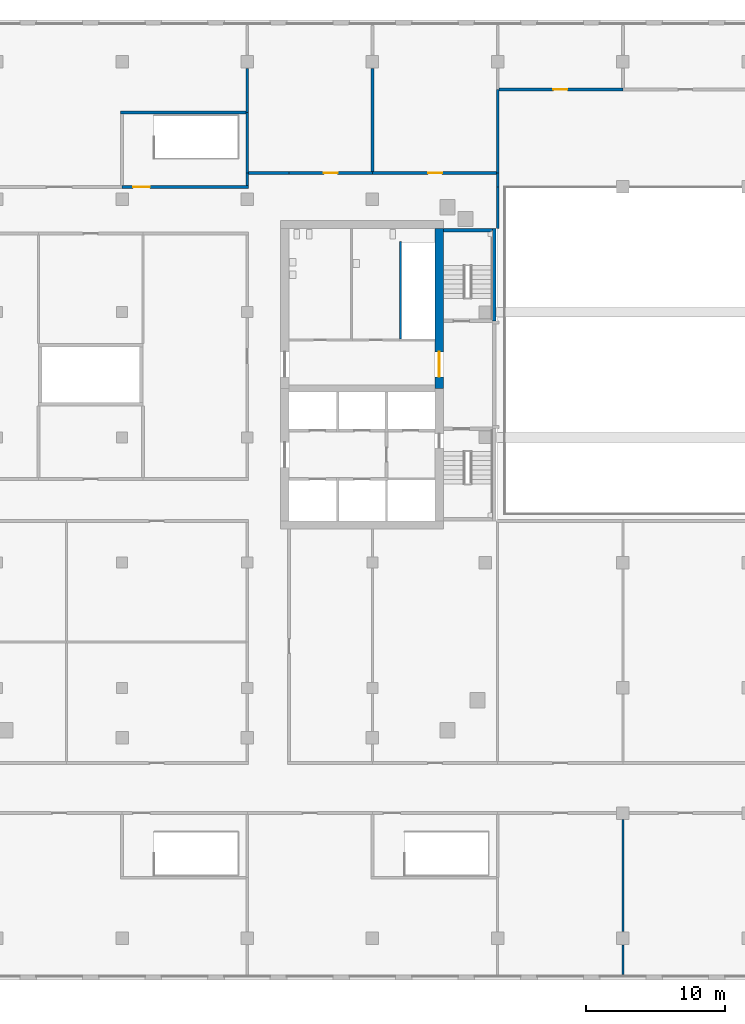
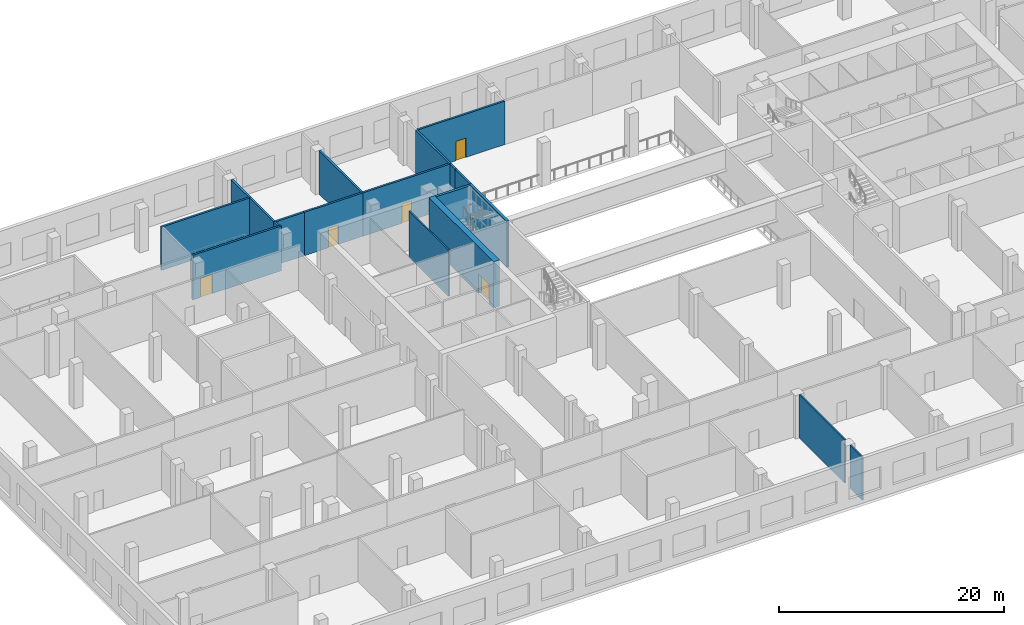
# One storey, part 7 of 20: 19 walls, 5 doors, 5 openings.
"""IFC4 building model written with IfcOpenShell, lengths in metres."""

from ifc_helpers import new_model, si_unit, direction, frame, frame_2d, origin, place, context, subcontext, project, spatial, rectangle, extrude, material, layer, layer_set, type_object, element, fill, save


model = new_model("IFC4")

# Units and contexts
model_context = context("Model", 3, precision=1e-05, world=origin(), true_north=direction((0.0, 1.0)))
body_context = subcontext(model_context, "Body", "Model", "MODEL_VIEW")
ifc_project = project(units=[si_unit("LENGTHUNIT", "METRE"), si_unit("AREAUNIT", "SQUARE_METRE"), si_unit("VOLUMEUNIT", "CUBIC_METRE"), si_unit("PLANEANGLEUNIT", "RADIAN"), si_unit("MASSUNIT", "GRAM", prefix="KILO")], contexts=[model_context])

# Site, building, storey
site_placement = place(None, origin())
site = spatial("IfcSite", under=ifc_project, at=site_placement, CompositionType="ELEMENT")
building_placement = place(site_placement, origin())
building = spatial("IfcBuilding", under=site, at=building_placement, Name="Cinnabar Reach Civic Tower", CompositionType="ELEMENT")
storey_placement = place(building_placement, frame((0.0, 0.0, 21.0)))
storey = spatial("IfcBuildingStorey", under=building, at=storey_placement, Name="L04", CompositionType="ELEMENT", Elevation=21.0)

# Wall, opening, door
ifc_material_1 = material(Name="Concrete C70", Category="concrete")
ifc_layer_1 = layer(ifc_material_1, 0.6)
ifc_layer_set_1 = layer_set([ifc_layer_1], Name="Core wall 600 EI 180")
wall_type_1 = type_object("IfcWallType", Name="Core wall 600 EI 180", PredefinedType="SOLIDWALL", material=ifc_layer_set_1)
wall_1_placement = place(storey_placement, frame((-31.2, 30.5, 0.0), z_axis=(0.0, 0.0, 1.0), x_axis=(0.0, 1.0, 0.0)))
wall_1 = element("IfcWall", 1, at=wall_1_placement, inside=storey, type_object=wall_type_1, Name="Core wall T2 L04 E2", PredefinedType="SOLIDWALL", context=body_context, shape_type="SweptSolid", body=[
    extrude(rectangle(XDim=11.5, YDim=0.6, at=frame_2d((5.75, 0.0))), origin(), (0.0, 0.0, 1.0), 5.0),
])
opening_1_placement = place(wall_1_placement, frame((0.85, 0.0, 0.0)))
opening_1 = element("IfcOpeningElement", 2, at=opening_1_placement, cuts=wall_1, Name="Opening D6086", PredefinedType="OPENING", context=body_context, shape_type="SweptSolid", body=[
    extrude(rectangle(XDim=1.8, YDim=2.1, at=frame_2d((0.9, 1.05))), frame((0.0, 0.31, 0.0), z_axis=(0.0, -1.0, 0.0), x_axis=(1.0, 0.0, 0.0)), (0.0, 0.0, 1.0), 0.62),
])
ifc_material_2 = material(Name="Steel fire door", Category="steel")
door_type_1 = type_object("IfcDoorType", Name="T2 Double door 1800", OperationType="DOUBLE_DOOR_SINGLE_SWING", PredefinedType="DOOR", material=ifc_material_2)
door_1_placement = place(opening_1_placement, origin())
door_1 = element("IfcDoor", 3, at=door_1_placement, inside=storey, type_object=door_type_1, Name="T2 Double door D6086", OperationType="DOUBLE_DOOR_SINGLE_SWING", OverallHeight=2.1, OverallWidth=1.8, PredefinedType="DOOR", context=body_context, shape_type="SweptSolid", body=[
    extrude(rectangle(XDim=1.8, YDim=2.1, at=frame_2d((0.9, 1.05))), frame((0.0, 0.025, 0.0), z_axis=(0.0, -1.0, 0.0), x_axis=(1.0, 0.0, 0.0)), (0.0, 0.0, 1.0), 0.05),
])
fill(opening_1, door_1)

# Walls
ifc_material_3 = material(Name="Concrete blockwork", Category="masonry")
ifc_layer_2 = layer(ifc_material_3, 0.2)
ifc_layer_set_2 = layer_set([ifc_layer_2], Name="Podium masonry corridor wall 200 EI 120")
wall_type_2 = type_object("IfcWallType", Name="Podium masonry corridor wall 200 EI 120", PredefinedType="PARTITIONING", material=ifc_layer_set_2)
wall_2_placement = place(storey_placement, frame((-44.9, 46.0, 0.0), z_axis=(0.0, 0.0, 1.0), x_axis=(1.0, 0.0, 0.0)))
element("IfcWall", 4, at=wall_2_placement, inside=storey, type_object=wall_type_2, Name="Wall L04 85", PredefinedType="PARTITIONING", context=body_context, shape_type="SweptSolid", body=[
    extrude(rectangle(XDim=2.9, YDim=0.2, at=frame_2d((1.45, 0.0))), origin(), (0.0, 0.0, 1.0), 4.7),
])
wall_3_placement = place(storey_placement, frame((-27.0, 42.0, 0.0), z_axis=(0.0, 0.0, 1.0), x_axis=(0.0, 1.0, 0.0)))
element("IfcWall", 5, at=wall_3_placement, inside=storey, type_object=wall_type_2, Name="Wall L04 90", PredefinedType="PARTITIONING", context=body_context, shape_type="SweptSolid", body=[
    extrude(rectangle(XDim=3.0, YDim=0.2, at=frame_2d((1.5, 0.0))), origin(), (0.0, 0.0, 1.0), 4.7),
])
wall_4_placement = place(storey_placement, frame((-27.0, 45.0, 0.0), z_axis=(0.0, 0.0, 1.0), x_axis=(0.0, 1.0, 0.0)))
element("IfcWall", 6, at=wall_4_placement, inside=storey, type_object=wall_type_2, Name="Wall L04 91", PredefinedType="PARTITIONING", context=body_context, shape_type="SweptSolid", body=[
    extrude(rectangle(XDim=1.0, YDim=0.2, at=frame_2d((0.5, 0.0))), origin(), (0.0, 0.0, 1.0), 4.7),
])

# Wall, opening, door
wall_5_placement = place(storey_placement, frame((-42.0, 46.0, 0.0), z_axis=(0.0, 0.0, 1.0), x_axis=(1.0, 0.0, 0.0)))
wall_5 = element("IfcWall", 7, at=wall_5_placement, inside=storey, type_object=wall_type_2, Name="Wall L04 92", PredefinedType="PARTITIONING", context=body_context, shape_type="SweptSolid", body=[
    extrude(rectangle(XDim=6.0, YDim=0.2, at=frame_2d((3.0, 0.0))), origin(), (0.0, 0.0, 1.0), 4.7),
])
opening_2_placement = place(wall_5_placement, frame((2.5, 0.0, 0.0)))
opening_2 = element("IfcOpeningElement", 8, at=opening_2_placement, cuts=wall_5, Name="Opening D1252", PredefinedType="OPENING", context=body_context, shape_type="SweptSolid", body=[
    extrude(rectangle(XDim=1.0, YDim=2.1, at=frame_2d((0.5, 1.05))), frame((0.0, 0.11, 0.0), z_axis=(0.0, -1.0, 0.0), x_axis=(1.0, 0.0, 0.0)), (0.0, 0.0, 1.0), 0.22),
])
ifc_material_4 = material(Name="Painted steel door leaf", Category="steel")
door_type_2 = type_object("IfcDoorType", Name="Podium single door 1000x2100", OperationType="SINGLE_SWING_LEFT", PredefinedType="DOOR", material=ifc_material_4)
door_2_placement = place(opening_2_placement, origin())
door_2 = element("IfcDoor", 9, at=door_2_placement, inside=storey, type_object=door_type_2, Name="Door D1252", OperationType="SINGLE_SWING_LEFT", OverallHeight=2.1, OverallWidth=1.0, PredefinedType="DOOR", context=body_context, shape_type="SweptSolid", body=[
    extrude(rectangle(XDim=1.0, YDim=2.1, at=frame_2d((0.5, 1.05))), frame((0.0, 0.025, 0.0), z_axis=(0.0, -1.0, 0.0), x_axis=(1.0, 0.0, 0.0)), (0.0, 0.0, 1.0), 0.05),
])
fill(opening_2, door_2)

wall_6_placement = place(storey_placement, frame((-36.0, 46.0, 0.0), z_axis=(0.0, 0.0, 1.0), x_axis=(1.0, 0.0, 0.0)))
wall_6 = element("IfcWall", 10, at=wall_6_placement, inside=storey, type_object=wall_type_2, Name="Wall L04 93", PredefinedType="PARTITIONING", context=body_context, shape_type="SweptSolid", body=[
    extrude(rectangle(XDim=8.9, YDim=0.2, at=frame_2d((4.45, 0.0))), origin(), (0.0, 0.0, 1.0), 4.7),
])
opening_3_placement = place(wall_6_placement, frame((4.0, 0.0, 0.0)))
opening_3 = element("IfcOpeningElement", 11, at=opening_3_placement, cuts=wall_6, Name="Opening D1253", PredefinedType="OPENING", context=body_context, shape_type="SweptSolid", body=[
    extrude(rectangle(XDim=1.0, YDim=2.1, at=frame_2d((0.5, 1.05))), frame((0.0, 0.11, 0.0), z_axis=(0.0, -1.0, 0.0), x_axis=(1.0, 0.0, 0.0)), (0.0, 0.0, 1.0), 0.22),
])
door_3_placement = place(opening_3_placement, origin())
door_3 = element("IfcDoor", 12, at=door_3_placement, inside=storey, type_object=door_type_2, Name="Door D1253", OperationType="SINGLE_SWING_RIGHT", OverallHeight=2.1, OverallWidth=1.0, PredefinedType="DOOR", context=body_context, shape_type="SweptSolid", body=[
    extrude(rectangle(XDim=1.0, YDim=2.1, at=frame_2d((0.5, 1.05))), frame((0.0, 0.025, 0.0), z_axis=(0.0, -1.0, 0.0), x_axis=(1.0, 0.0, 0.0)), (0.0, 0.0, 1.0), 0.05),
])
fill(opening_3, door_3)

wall_7_placement = place(storey_placement, frame((-26.9, 52.0, 0.0), z_axis=(0.0, 0.0, 1.0), x_axis=(1.0, 0.0, 0.0)))
wall_7 = element("IfcWall", 13, at=wall_7_placement, inside=storey, type_object=wall_type_2, Name="Wall L04 128", PredefinedType="PARTITIONING", context=body_context, shape_type="SweptSolid", body=[
    extrude(rectangle(XDim=8.9, YDim=0.2, at=frame_2d((4.45, 0.0))), origin(), (0.0, 0.0, 1.0), 4.7),
])
opening_4_placement = place(wall_7_placement, frame((3.9, 0.0, 0.0)))
opening_4 = element("IfcOpeningElement", 14, at=opening_4_placement, cuts=wall_7, Name="Opening D1222", PredefinedType="OPENING", context=body_context, shape_type="SweptSolid", body=[
    extrude(rectangle(XDim=1.0, YDim=2.1, at=frame_2d((0.5, 1.05))), frame((0.0, 0.11, 0.0), z_axis=(0.0, -1.0, 0.0), x_axis=(1.0, 0.0, 0.0)), (0.0, 0.0, 1.0), 0.22),
])
door_4_placement = place(opening_4_placement, origin())
door_4 = element("IfcDoor", 15, at=door_4_placement, inside=storey, type_object=door_type_2, Name="Door D1222", OperationType="SINGLE_SWING_RIGHT", OverallHeight=2.1, OverallWidth=1.0, PredefinedType="DOOR", context=body_context, shape_type="SweptSolid", body=[
    extrude(rectangle(XDim=1.0, YDim=2.1, at=frame_2d((0.5, 1.05))), frame((0.0, 0.025, 0.0), z_axis=(0.0, -1.0, 0.0), x_axis=(1.0, 0.0, 0.0)), (0.0, 0.0, 1.0), 0.05),
])
fill(opening_4, door_4)

# Walls
wall_8_placement = place(storey_placement, frame((-27.0, 46.0, 0.0), z_axis=(0.0, 0.0, 1.0), x_axis=(0.0, 1.0, 0.0)))
element("IfcWall", 16, at=wall_8_placement, inside=storey, type_object=wall_type_2, Name="Wall L04 131", PredefinedType="PARTITIONING", context=body_context, shape_type="SweptSolid", body=[
    extrude(rectangle(XDim=6.0, YDim=0.2, at=frame_2d((3.0, 0.0))), origin(), (0.0, 0.0, 1.0), 4.7),
])
wall_9_placement = place(storey_placement, frame((-45.0, 50.35, 0.0), z_axis=(0.0, 0.0, 1.0), x_axis=(0.0, 1.0, 0.0)))
element("IfcWall", 17, at=wall_9_placement, inside=storey, type_object=wall_type_2, Name="Wall L04 192", PredefinedType="PARTITIONING", context=body_context, shape_type="SweptSolid", body=[
    extrude(rectangle(XDim=3.18, YDim=0.2, at=frame_2d((1.59, 0.0))), origin(), (0.0, 0.0, 1.0), 4.7),
])
wall_10_placement = place(storey_placement, frame((-36.0, 46.1, 0.0), z_axis=(0.0, 0.0, 1.0), x_axis=(0.0, 1.0, 0.0)))
element("IfcWall", 18, at=wall_10_placement, inside=storey, type_object=wall_type_2, Name="Wall L04 194", PredefinedType="PARTITIONING", context=body_context, shape_type="SweptSolid", body=[
    extrude(rectangle(XDim=7.43, YDim=0.2, at=frame_2d((3.715, 0.0))), origin(), (0.0, 0.0, 1.0), 4.7),
])
ifc_material_5 = material(Name="Gypsum board on steel studs", Category="steel")
ifc_layer_3 = layer(ifc_material_5, 0.15)
ifc_layer_set_3 = layer_set([ifc_layer_3], Name="Podium partition wall 150 EI 90")
wall_type_3 = type_object("IfcWallType", Name="Podium partition wall 150 EI 90", PredefinedType="PARTITIONING", material=ifc_layer_set_3)
wall_11_placement = place(storey_placement, frame((-18.0, -11.6, 0.0), z_axis=(0.0, 0.0, 1.0), x_axis=(0.0, 1.0, 0.0)))
element("IfcWall", 19, at=wall_11_placement, inside=storey, type_object=wall_type_3, Name="Wall L04 145", PredefinedType="PARTITIONING", context=body_context, shape_type="SweptSolid", body=[
    extrude(rectangle(XDim=2.13, YDim=0.15, at=frame_2d((1.065, 0.0))), origin(), (0.0, 0.0, 1.0), 4.7),
])
wall_12_placement = place(storey_placement, frame((-18.0, -8.53, 0.0), z_axis=(0.0, 0.0, 1.0), x_axis=(0.0, 1.0, 0.0)))
element("IfcWall", 20, at=wall_12_placement, inside=storey, type_object=wall_type_3, Name="Wall L04 146", PredefinedType="PARTITIONING", context=body_context, shape_type="SweptSolid", body=[
    extrude(rectangle(XDim=8.06, YDim=0.15, at=frame_2d((4.03, 0.0))), origin(), (0.0, 0.0, 1.0), 4.7),
])
ifc_material_6 = material(Name="Concrete C40", Category="concrete")
ifc_layer_4 = layer(ifc_material_6, 0.2)
ifc_layer_set_4 = layer_set([ifc_layer_4], Name="Podium stair shaft wall 200 EI 120")
wall_type_4 = type_object("IfcWallType", Name="Podium stair shaft wall 200 EI 120", PredefinedType="SOLIDWALL", material=ifc_layer_set_4)
wall_13_placement = place(storey_placement, frame((-45.0, 45.1, 0.0), z_axis=(0.0, 0.0, 1.0), x_axis=(0.0, 1.0, 0.0)))
element("IfcWall", 21, at=wall_13_placement, inside=storey, type_object=wall_type_4, Name="Wall L04 28", PredefinedType="SOLIDWALL", context=body_context, shape_type="SweptSolid", body=[
    extrude(rectangle(XDim=0.9, YDim=0.2, at=frame_2d((0.45, 0.0))), origin(), (0.0, 0.0, 1.0), 4.7),
])

# Wall, opening, door
wall_14_placement = place(storey_placement, frame((-54.0, 45.0, 0.0), z_axis=(0.0, 0.0, 1.0), x_axis=(1.0, 0.0, 0.0)))
wall_14 = element("IfcWall", 22, at=wall_14_placement, inside=storey, type_object=wall_type_4, Name="Wall L04 29", PredefinedType="SOLIDWALL", context=body_context, shape_type="SweptSolid", body=[
    extrude(rectangle(XDim=9.1, YDim=0.2, at=frame_2d((4.55, 0.0))), origin(), (0.0, 0.0, 1.0), 4.85),
])
opening_5_placement = place(wall_14_placement, frame((0.8, 0.0, 0.0)))
opening_5 = element("IfcOpeningElement", 23, at=opening_5_placement, cuts=wall_14, Name="Opening D1281", PredefinedType="OPENING", context=body_context, shape_type="SweptSolid", body=[
    extrude(rectangle(XDim=1.2, YDim=2.1, at=frame_2d((0.6, 1.05))), frame((0.0, 0.11, 0.0), z_axis=(0.0, -1.0, 0.0), x_axis=(1.0, 0.0, 0.0)), (0.0, 0.0, 1.0), 0.22),
])
door_type_3 = type_object("IfcDoorType", Name="Podium single door 1200x2100", OperationType="SINGLE_SWING_LEFT", PredefinedType="DOOR", material=ifc_material_4)
door_5_placement = place(opening_5_placement, origin())
door_5 = element("IfcDoor", 24, at=door_5_placement, inside=storey, type_object=door_type_3, Name="Door D1281", OperationType="SINGLE_SWING_RIGHT", OverallHeight=2.1, OverallWidth=1.2, PredefinedType="DOOR", context=body_context, shape_type="SweptSolid", body=[
    extrude(rectangle(XDim=1.2, YDim=2.1, at=frame_2d((0.6, 1.05))), frame((0.0, 0.025, 0.0), z_axis=(0.0, -1.0, 0.0), x_axis=(1.0, 0.0, 0.0)), (0.0, 0.0, 1.0), 0.05),
])
fill(opening_5, door_5)

# Walls
wall_15_placement = place(storey_placement, frame((-54.1, 50.35, 0.0), z_axis=(0.0, 0.0, 1.0), x_axis=(1.0, 0.0, 0.0)))
element("IfcWall", 25, at=wall_15_placement, inside=storey, type_object=wall_type_4, Name="Wall L04 30", PredefinedType="SOLIDWALL", context=body_context, shape_type="SweptSolid", body=[
    extrude(rectangle(XDim=9.0, YDim=0.2, at=frame_2d((4.5, 0.0))), origin(), (0.0, 0.0, 1.0), 4.7),
])
wall_16_placement = place(storey_placement, frame((-45.0, 46.0, 0.0), z_axis=(0.0, 0.0, 1.0), x_axis=(0.0, 1.0, 0.0)))
element("IfcWall", 26, at=wall_16_placement, inside=storey, type_object=wall_type_4, Name="Wall L04 32", PredefinedType="SOLIDWALL", context=body_context, shape_type="SweptSolid", body=[
    extrude(rectangle(XDim=4.35, YDim=0.2, at=frame_2d((2.175, 0.0))), origin(), (0.0, 0.0, 1.0), 4.7),
])
ifc_material_7 = material(Name="Concrete C60", Category="concrete")
ifc_layer_5 = layer(ifc_material_7, 0.25)
ifc_layer_set_5 = layer_set([ifc_layer_5], Name="Stair shaft wall 250 EI 120")
wall_type_5 = type_object("IfcWallType", Name="Stair shaft wall 250 EI 120", PredefinedType="SOLIDWALL", material=ifc_layer_set_5)
wall_17_placement = place(storey_placement, frame((-27.36, 41.875, 0.0), z_axis=(0.0, 0.0, 1.0), x_axis=(-1.0, 0.0, 0.0)))
element("IfcWall", 27, at=wall_17_placement, inside=storey, type_object=wall_type_5, Name="Stair shaft wall T2-S2 L04", PredefinedType="SOLIDWALL", context=body_context, shape_type="SweptSolid", body=[
    extrude(rectangle(XDim=3.54, YDim=0.25, at=frame_2d((1.77, 0.0))), origin(), (0.0, 0.0, 1.0), 5.0),
])
wall_18_placement = place(storey_placement, frame((-27.235, 35.35, 0.0), z_axis=(0.0, 0.0, 1.0), x_axis=(0.0, 1.0, 0.0)))
element("IfcWall", 28, at=wall_18_placement, inside=storey, type_object=wall_type_5, Name="Stair shaft wall T2-STRIP L04", PredefinedType="SOLIDWALL", context=body_context, shape_type="SweptSolid", body=[
    extrude(rectangle(XDim=6.65, YDim=0.25, at=frame_2d((3.325, 0.0))), origin(), (0.0, 0.0, 1.0), 5.0),
])
ifc_layer_6 = layer(ifc_material_6, 0.15)
ifc_layer_set_6 = layer_set([ifc_layer_6], Name="T2 Riser wall 150")
wall_type_6 = type_object("IfcWallType", Name="T2 Riser wall 150", PredefinedType="SOLIDWALL", material=ifc_layer_set_6)
wall_19_placement = place(storey_placement, frame((-34.0, 41.075, 0.0), z_axis=(0.0, 0.0, 1.0), x_axis=(0.0, -1.0, 0.0)))
element("IfcWall", 29, at=wall_19_placement, inside=storey, type_object=wall_type_6, Name="T2 Riser wall L04 015", PredefinedType="SOLIDWALL", context=body_context, shape_type="SweptSolid", body=[
    extrude(rectangle(XDim=7.0, YDim=0.15, at=frame_2d((3.5, 0.0))), origin(), (0.0, 0.0, 1.0), 5.0),
])

save(model, "model.ifc")
